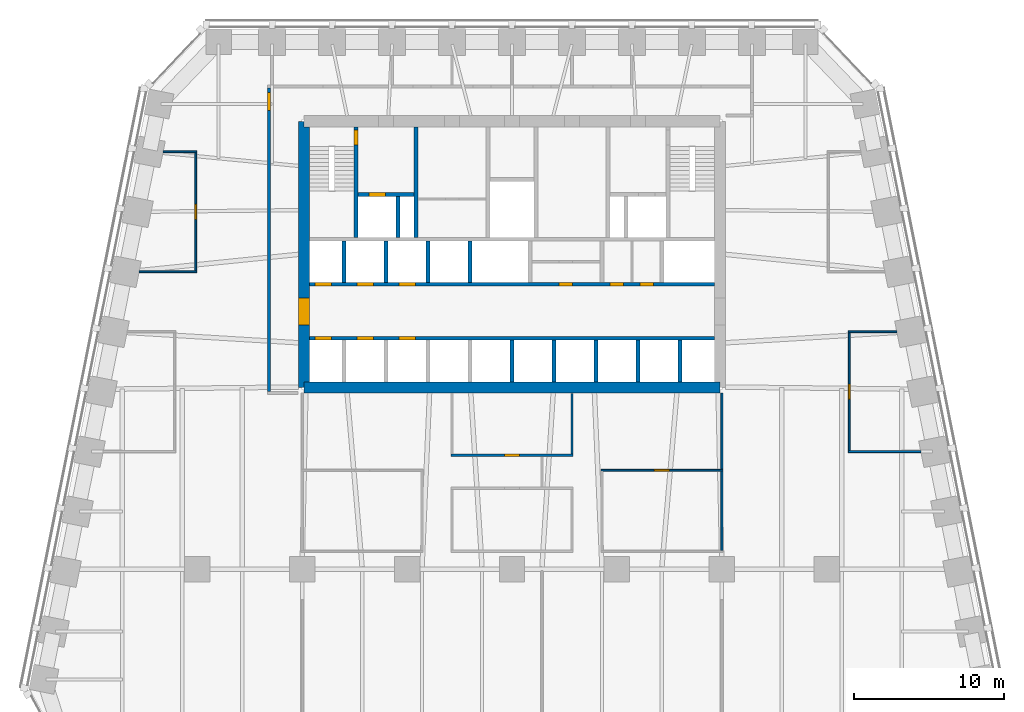
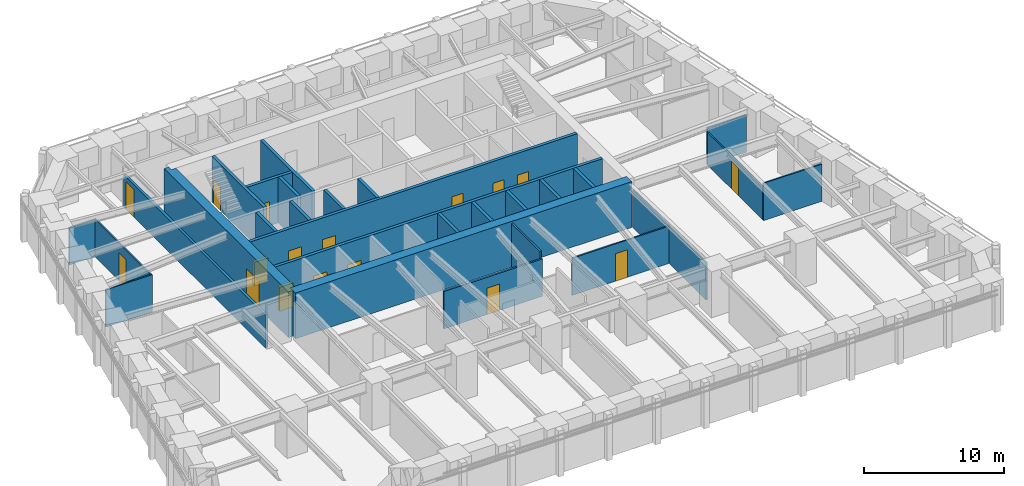
# One storey, part 6 of 10: 29 walls, 17 doors, 17 openings.
"""IFC4 building model written with IfcOpenShell, lengths in metres."""

from ifc_helpers import new_model, si_unit, direction, frame, frame_2d, origin, place, context, subcontext, project, spatial, polyline, rectangle, outline, extrude, material, layer, layer_set, type_object, element, fill, save


model = new_model("IFC4")

# Units and contexts
model_context = context("Model", 3, precision=1e-05, world=origin(), true_north=direction((0.0, 1.0)))
body_context = subcontext(model_context, "Body", "Model", "MODEL_VIEW")
ifc_project = project(units=[si_unit("LENGTHUNIT", "METRE"), si_unit("AREAUNIT", "SQUARE_METRE"), si_unit("VOLUMEUNIT", "CUBIC_METRE"), si_unit("PLANEANGLEUNIT", "RADIAN"), si_unit("MASSUNIT", "GRAM", prefix="KILO")], contexts=[model_context])

# Site, building, storey
site_placement = place(None, origin())
site = spatial("IfcSite", under=ifc_project, at=site_placement, CompositionType="ELEMENT")
building_placement = place(site_placement, origin())
building = spatial("IfcBuilding", under=site, at=building_placement, Name="Isbrekke Arena Tower", CompositionType="ELEMENT")
storey_placement = place(building_placement, frame((0.0, 0.0, 139.0)))
storey = spatial("IfcBuildingStorey", under=building, at=storey_placement, Name="L31", CompositionType="ELEMENT", Elevation=139.0)

# Wall
ifc_material_1 = material(Name="Concrete B55 (C55/67)", Category="concrete")
ifc_layer_1 = layer(ifc_material_1, 0.75)
ifc_layer_set_1 = layer_set([ifc_layer_1], Name="CW3 CORE WALL 750")
wall_type_1 = type_object("IfcWallType", Name="CW3 CORE WALL 750", PredefinedType="SHEAR", material=ifc_layer_set_1)
wall_1_placement = place(storey_placement, frame((-13.875, 6.125, 0.0), z_axis=(0.0, 0.0, 1.0), x_axis=(1.0, 0.0, 0.0)))
element("IfcWall", 1, at=wall_1_placement, inside=storey, type_object=wall_type_1, Name="Core wall S L31", PredefinedType="SHEAR", context=body_context, shape_type="SweptSolid", body=[
    extrude(rectangle(XDim=27.75, YDim=0.75, at=frame_2d((13.875, 0.0))), origin(), (0.0, 0.0, 1.0), 4.0),
])

# Wall, opening, door
wall_2_placement = place(storey_placement, frame((-13.875, 23.875, 0.0), z_axis=(0.0, 0.0, 1.0), x_axis=(0.0, -1.0, 0.0)))
wall_2 = element("IfcWall", 2, at=wall_2_placement, inside=storey, type_object=wall_type_1, Name="Core wall W L31", PredefinedType="SHEAR", context=body_context, shape_type="SweptSolid", body=[
    extrude(outline(polyline([(0.0, -0.375), (17.75, -0.375), (17.75, 0.0), (17.375, 0.0), (17.375, 0.375), (0.375, 0.375), (0.375, 0.0), (0.0, 0.0), (0.0, -0.375)])), origin(), (0.0, 0.0, 1.0), 4.0),
])
opening_1_placement = place(wall_2_placement, frame((11.77490234375, 0.0, 0.0)))
opening_1 = element("IfcOpeningElement", 3, at=opening_1_placement, cuts=wall_2, Name="Opening D1", PredefinedType="OPENING", context=body_context, shape_type="SweptSolid", body=[
    extrude(rectangle(XDim=1.800048828125, YDim=2.39990234375, at=frame_2d((0.89990234375, 1.199951171875))), frame((0.0, 0.389892578125, 0.0), z_axis=(0.0, -1.0, 0.0), x_axis=(1.0, 0.0, 0.0)), (0.0, 0.0, 1.0), 0.77978515625),
])
ifc_material_2 = material(Name="Steel-framed glazed fire door", Category="steel")
door_type_1 = type_object("IfcDoorType", Name="D1 CORE LOBBY DOOR 1800 x 2400", OperationType="DOUBLE_DOOR_SINGLE_SWING", PredefinedType="DOOR", material=ifc_material_2)
door_1_placement = place(opening_1_placement, origin())
door_1 = element("IfcDoor", 4, at=door_1_placement, inside=storey, type_object=door_type_1, Name="D1 lift lobby door west L31", OperationType="DOUBLE_DOOR_SINGLE_SWING", OverallHeight=2.39990234375, OverallWidth=1.800048828125, PredefinedType="DOOR", context=body_context, shape_type="SweptSolid", body=[
    extrude(rectangle(XDim=1.800048828125, YDim=2.39990234375, at=frame_2d((0.89990234375, 1.199951171875))), frame((0.0, 0.374755859375, 0.0), z_axis=(0.0, -1.0, 0.0), x_axis=(1.0, 0.0, 0.0)), (0.0, 0.0, 1.0), 0.74951171875),
])
fill(opening_1, door_1)

# Wall, openings, doors
ifc_material_3 = material(Name="Concrete B45 (C45/55)", Category="concrete")
ifc_layer_2 = layer(ifc_material_3, 0.25)
ifc_layer_set_2 = layer_set([ifc_layer_2], Name="CW6 SHAFT WALL 250")
wall_type_2 = type_object("IfcWallType", Name="CW6 SHAFT WALL 250", PredefinedType="SHEAR", material=ifc_layer_set_2)
wall_3_placement = place(storey_placement, frame((-13.5, 9.39990234375, 0.0), z_axis=(0.0, 0.0, 1.0), x_axis=(1.0, 0.0, 0.0)))
wall_3 = element("IfcWall", 5, at=wall_3_placement, inside=storey, type_object=wall_type_2, Name="Core wall LS L31", PredefinedType="SHEAR", context=body_context, shape_type="SweptSolid", body=[
    extrude(rectangle(XDim=27.0, YDim=0.25, at=frame_2d((13.5, 0.0))), origin(), (0.0, 0.0, 1.0), 4.0),
])
opening_2_placement = place(wall_3_placement, frame((0.35009765625, 0.0, 0.0)))
opening_2 = element("IfcOpeningElement", 6, at=opening_2_placement, cuts=wall_3, Name="Opening LD1", PredefinedType="OPENING", context=body_context, shape_type="SweptSolid", body=[
    extrude(rectangle(XDim=1.10009765625, YDim=2.10009765625, at=frame_2d((0.550048828125, 1.050048828125))), frame((0.0, 0.139892578125, 0.0), z_axis=(0.0, -1.0, 0.0), x_axis=(1.0, 0.0, 0.0)), (0.0, 0.0, 1.0), 0.27978515625),
])
opening_3_placement = place(wall_3_placement, frame((3.14990234375, 0.0, 0.0)))
opening_3 = element("IfcOpeningElement", 7, at=opening_3_placement, cuts=wall_3, Name="Opening LD1", PredefinedType="OPENING", context=body_context, shape_type="SweptSolid", body=[
    extrude(rectangle(XDim=1.10009765625, YDim=2.10009765625, at=frame_2d((0.550048828125, 1.050048828125))), frame((0.0, 0.139892578125, 0.0), z_axis=(0.0, -1.0, 0.0), x_axis=(1.0, 0.0, 0.0)), (0.0, 0.0, 1.0), 0.27978515625),
])
opening_4_placement = place(wall_3_placement, frame((5.949951171875, 0.0, 0.0)))
opening_4 = element("IfcOpeningElement", 8, at=opening_4_placement, cuts=wall_3, Name="Opening LD1", PredefinedType="OPENING", context=body_context, shape_type="SweptSolid", body=[
    extrude(rectangle(XDim=1.10009765625, YDim=2.10009765625, at=frame_2d((0.550048828125, 1.050048828125))), frame((0.0, 0.139892578125, 0.0), z_axis=(0.0, -1.0, 0.0), x_axis=(1.0, 0.0, 0.0)), (0.0, 0.0, 1.0), 0.27978515625),
])
ifc_material_4 = material(Name="Stainless steel lift landing door", Category="steel")
door_type_2 = type_object("IfcDoorType", Name="LD1 LIFT LANDING DOOR 1100 x 2100", OperationType="SLIDING_TO_LEFT", PredefinedType="DOOR", material=ifc_material_4)
door_2_placement = place(opening_2_placement, origin())
door_2 = element("IfcDoor", 9, at=door_2_placement, inside=storey, type_object=door_type_2, Name="LD1 lift landing door LB L31", OperationType="SLIDING_TO_LEFT", OverallHeight=2.10009765625, OverallWidth=1.10009765625, PredefinedType="DOOR", context=body_context, shape_type="SweptSolid", body=[
    extrude(rectangle(XDim=1.10009765625, YDim=2.10009765625, at=frame_2d((0.550048828125, 1.050048828125))), frame((0.0, 0.124755859375, 0.0), z_axis=(0.0, -1.0, 0.0), x_axis=(1.0, 0.0, 0.0)), (0.0, 0.0, 1.0), 0.24951171875),
])
fill(opening_2, door_2)
door_3_placement = place(opening_3_placement, origin())
door_3 = element("IfcDoor", 10, at=door_3_placement, inside=storey, type_object=door_type_2, Name="LD1 lift landing door LB L31", OperationType="SLIDING_TO_LEFT", OverallHeight=2.10009765625, OverallWidth=1.10009765625, PredefinedType="DOOR", context=body_context, shape_type="SweptSolid", body=[
    extrude(rectangle(XDim=1.10009765625, YDim=2.10009765625, at=frame_2d((0.550048828125, 1.050048828125))), frame((0.0, 0.124755859375, 0.0), z_axis=(0.0, -1.0, 0.0), x_axis=(1.0, 0.0, 0.0)), (0.0, 0.0, 1.0), 0.24951171875),
])
fill(opening_3, door_3)
door_4_placement = place(opening_4_placement, origin())
door_4 = element("IfcDoor", 11, at=door_4_placement, inside=storey, type_object=door_type_2, Name="LD1 lift landing door LB L31", OperationType="SLIDING_TO_LEFT", OverallHeight=2.10009765625, OverallWidth=1.10009765625, PredefinedType="DOOR", context=body_context, shape_type="SweptSolid", body=[
    extrude(rectangle(XDim=1.10009765625, YDim=2.10009765625, at=frame_2d((0.550048828125, 1.050048828125))), frame((0.0, 0.124755859375, 0.0), z_axis=(0.0, -1.0, 0.0), x_axis=(1.0, 0.0, 0.0)), (0.0, 0.0, 1.0), 0.24951171875),
])
fill(opening_4, door_4)

wall_4_placement = place(storey_placement, frame((-13.5, 13.0, 0.0), z_axis=(0.0, 0.0, 1.0), x_axis=(1.0, 0.0, 0.0)))
wall_4 = element("IfcWall", 12, at=wall_4_placement, inside=storey, type_object=wall_type_2, Name="Core wall LN L31", PredefinedType="SHEAR", context=body_context, shape_type="SweptSolid", body=[
    extrude(rectangle(XDim=27.0, YDim=0.25, at=frame_2d((13.5, 0.0))), origin(), (0.0, 0.0, 1.0), 4.0),
])
opening_5_placement = place(wall_4_placement, frame((0.35009765625, 0.0, 0.0)))
opening_5 = element("IfcOpeningElement", 13, at=opening_5_placement, cuts=wall_4, Name="Opening LD1", PredefinedType="OPENING", context=body_context, shape_type="SweptSolid", body=[
    extrude(rectangle(XDim=1.10009765625, YDim=2.10009765625, at=frame_2d((0.550048828125, 1.050048828125))), frame((0.0, 0.139892578125, 0.0), z_axis=(0.0, -1.0, 0.0), x_axis=(1.0, 0.0, 0.0)), (0.0, 0.0, 1.0), 0.27978515625),
])
opening_6_placement = place(wall_4_placement, frame((3.14990234375, 0.0, 0.0)))
opening_6 = element("IfcOpeningElement", 14, at=opening_6_placement, cuts=wall_4, Name="Opening LD1", PredefinedType="OPENING", context=body_context, shape_type="SweptSolid", body=[
    extrude(rectangle(XDim=1.10009765625, YDim=2.10009765625, at=frame_2d((0.550048828125, 1.050048828125))), frame((0.0, 0.139892578125, 0.0), z_axis=(0.0, -1.0, 0.0), x_axis=(1.0, 0.0, 0.0)), (0.0, 0.0, 1.0), 0.27978515625),
])
opening_7_placement = place(wall_4_placement, frame((5.949951171875, 0.0, 0.0)))
opening_7 = element("IfcOpeningElement", 15, at=opening_7_placement, cuts=wall_4, Name="Opening LD1", PredefinedType="OPENING", context=body_context, shape_type="SweptSolid", body=[
    extrude(rectangle(XDim=1.10009765625, YDim=2.10009765625, at=frame_2d((0.550048828125, 1.050048828125))), frame((0.0, 0.139892578125, 0.0), z_axis=(0.0, -1.0, 0.0), x_axis=(1.0, 0.0, 0.0)), (0.0, 0.0, 1.0), 0.27978515625),
])
opening_8_placement = place(wall_4_placement, frame((16.64990234375, 0.0, 0.0)))
opening_8 = element("IfcOpeningElement", 16, at=opening_8_placement, cuts=wall_4, Name="Opening D5", PredefinedType="OPENING", context=body_context, shape_type="SweptSolid", body=[
    extrude(rectangle(XDim=0.89990234375, YDim=2.10009765625, at=frame_2d((0.449951171875, 1.050048828125))), frame((0.0, 0.139892578125, 0.0), z_axis=(0.0, -1.0, 0.0), x_axis=(1.0, 0.0, 0.0)), (0.0, 0.0, 1.0), 0.27978515625),
])
opening_9_placement = place(wall_4_placement, frame((20.050048828125, 0.0, 0.0)))
opening_9 = element("IfcOpeningElement", 17, at=opening_9_placement, cuts=wall_4, Name="Opening D5", PredefinedType="OPENING", context=body_context, shape_type="SweptSolid", body=[
    extrude(rectangle(XDim=0.89990234375, YDim=2.10009765625, at=frame_2d((0.449951171875, 1.050048828125))), frame((0.0, 0.139892578125, 0.0), z_axis=(0.0, -1.0, 0.0), x_axis=(1.0, 0.0, 0.0)), (0.0, 0.0, 1.0), 0.27978515625),
])
opening_10_placement = place(wall_4_placement, frame((22.050048828125, 0.0, 0.0)))
opening_10 = element("IfcOpeningElement", 18, at=opening_10_placement, cuts=wall_4, Name="Opening D5", PredefinedType="OPENING", context=body_context, shape_type="SweptSolid", body=[
    extrude(rectangle(XDim=0.89990234375, YDim=2.10009765625, at=frame_2d((0.449951171875, 1.050048828125))), frame((0.0, 0.139892578125, 0.0), z_axis=(0.0, -1.0, 0.0), x_axis=(1.0, 0.0, 0.0)), (0.0, 0.0, 1.0), 0.27978515625),
])
ifc_material_5 = material(Name="Steel fire door", Category="steel")
door_type_3 = type_object("IfcDoorType", Name="D5 SERVICE DOOR 900 x 2100", OperationType="SINGLE_SWING_LEFT", PredefinedType="DOOR", material=ifc_material_5)
door_5_placement = place(opening_8_placement, origin())
door_5 = element("IfcDoor", 19, at=door_5_placement, inside=storey, type_object=door_type_3, Name="D5 first-aid room door L31", OperationType="SINGLE_SWING_LEFT", OverallHeight=2.10009765625, OverallWidth=0.89990234375, PredefinedType="DOOR", context=body_context, shape_type="SweptSolid", body=[
    extrude(rectangle(XDim=0.89990234375, YDim=2.10009765625, at=frame_2d((0.449951171875, 1.050048828125))), frame((0.0, 0.124755859375, 0.0), z_axis=(0.0, -1.0, 0.0), x_axis=(1.0, 0.0, 0.0)), (0.0, 0.0, 1.0), 0.24951171875),
])
fill(opening_8, door_5)
door_6_placement = place(opening_9_placement, origin())
door_6 = element("IfcDoor", 20, at=door_6_placement, inside=storey, type_object=door_type_3, Name="D5 cleaner's store door L31", OperationType="SINGLE_SWING_LEFT", OverallHeight=2.10009765625, OverallWidth=0.89990234375, PredefinedType="DOOR", context=body_context, shape_type="SweptSolid", body=[
    extrude(rectangle(XDim=0.89990234375, YDim=2.10009765625, at=frame_2d((0.449951171875, 1.050048828125))), frame((0.0, 0.124755859375, 0.0), z_axis=(0.0, -1.0, 0.0), x_axis=(1.0, 0.0, 0.0)), (0.0, 0.0, 1.0), 0.24951171875),
])
fill(opening_9, door_6)
door_7_placement = place(opening_10_placement, origin())
door_7 = element("IfcDoor", 21, at=door_7_placement, inside=storey, type_object=door_type_3, Name="D5 communications room door L31", OperationType="SINGLE_SWING_LEFT", OverallHeight=2.10009765625, OverallWidth=0.89990234375, PredefinedType="DOOR", context=body_context, shape_type="SweptSolid", body=[
    extrude(rectangle(XDim=0.89990234375, YDim=2.10009765625, at=frame_2d((0.449951171875, 1.050048828125))), frame((0.0, 0.124755859375, 0.0), z_axis=(0.0, -1.0, 0.0), x_axis=(1.0, 0.0, 0.0)), (0.0, 0.0, 1.0), 0.24951171875),
])
fill(opening_10, door_7)
door_8_placement = place(opening_5_placement, origin())
door_8 = element("IfcDoor", 22, at=door_8_placement, inside=storey, type_object=door_type_2, Name="LD1 lift landing door LB L31", OperationType="SLIDING_TO_LEFT", OverallHeight=2.10009765625, OverallWidth=1.10009765625, PredefinedType="DOOR", context=body_context, shape_type="SweptSolid", body=[
    extrude(rectangle(XDim=1.10009765625, YDim=2.10009765625, at=frame_2d((0.550048828125, 1.050048828125))), frame((0.0, 0.124755859375, 0.0), z_axis=(0.0, -1.0, 0.0), x_axis=(1.0, 0.0, 0.0)), (0.0, 0.0, 1.0), 0.24951171875),
])
fill(opening_5, door_8)
door_9_placement = place(opening_6_placement, origin())
door_9 = element("IfcDoor", 23, at=door_9_placement, inside=storey, type_object=door_type_2, Name="LD1 lift landing door LB L31", OperationType="SLIDING_TO_LEFT", OverallHeight=2.10009765625, OverallWidth=1.10009765625, PredefinedType="DOOR", context=body_context, shape_type="SweptSolid", body=[
    extrude(rectangle(XDim=1.10009765625, YDim=2.10009765625, at=frame_2d((0.550048828125, 1.050048828125))), frame((0.0, 0.124755859375, 0.0), z_axis=(0.0, -1.0, 0.0), x_axis=(1.0, 0.0, 0.0)), (0.0, 0.0, 1.0), 0.24951171875),
])
fill(opening_6, door_9)
door_10_placement = place(opening_7_placement, origin())
door_10 = element("IfcDoor", 24, at=door_10_placement, inside=storey, type_object=door_type_2, Name="LD1 lift landing door LB L31", OperationType="SLIDING_TO_LEFT", OverallHeight=2.10009765625, OverallWidth=1.10009765625, PredefinedType="DOOR", context=body_context, shape_type="SweptSolid", body=[
    extrude(rectangle(XDim=1.10009765625, YDim=2.10009765625, at=frame_2d((0.550048828125, 1.050048828125))), frame((0.0, 0.124755859375, 0.0), z_axis=(0.0, -1.0, 0.0), x_axis=(1.0, 0.0, 0.0)), (0.0, 0.0, 1.0), 0.24951171875),
])
fill(opening_7, door_10)

# Walls
for number, where, z_axis, x_axis, name in (
    (25, (0.0, 6.5, 0.0), (0.0, 0.0, 1.0), (0.0, 1.0, 0.0), "Core wall SS05 L31"),
    (26, (2.800048828125, 6.5, 0.0), (0.0, 0.0, 1.0), (0.0, 1.0, 0.0), "Core wall SS06 L31"),
    (27, (5.60009765625, 6.5, 0.0), (0.0, 0.0, 1.0), (0.0, 1.0, 0.0), "Core wall SS07 L31"),
    (28, (8.39990234375, 6.5, 0.0), (0.0, 0.0, 1.0), (0.0, 1.0, 0.0), "Core wall SS08 L31"),
    (29, (11.199951171875, 6.5, 0.0), (0.0, 0.0, 1.0), (0.0, 1.0, 0.0), "Core wall SS09 L31"),
):
    element("IfcWall", number, at=place(storey_placement, frame(where, z_axis=z_axis, x_axis=x_axis)), inside=storey, type_object=wall_type_2, Name=name, PredefinedType="SHEAR", context=body_context, shape_type="SweptSolid", body=[
        extrude(rectangle(XDim=2.77490234375, YDim=0.25, at=frame_2d((1.387451171875, 0.0))), origin(), (0.0, 0.0, 1.0), 4.0),
    ])
for number, where, z_axis, x_axis, name in (
    (30, (-11.199951171875, 13.125, 0.0), (0.0, 0.0, 1.0), (0.0, 1.0, 0.0), "Core wall SN01 L31"),
    (31, (-8.39990234375, 13.125, 0.0), (0.0, 0.0, 1.0), (0.0, 1.0, 0.0), "Core wall SN02 L31"),
    (32, (-5.60009765625, 13.125, 0.0), (0.0, 0.0, 1.0), (0.0, 1.0, 0.0), "Core wall SN03 L31"),
    (33, (-2.800048828125, 13.125, 0.0), (0.0, 0.0, 1.0), (0.0, 1.0, 0.0), "Core wall SN04 L31"),
):
    element("IfcWall", number, at=place(storey_placement, frame(where, z_axis=z_axis, x_axis=x_axis)), inside=storey, type_object=wall_type_2, Name=name, PredefinedType="SHEAR", context=body_context, shape_type="SweptSolid", body=[
        extrude(rectangle(XDim=2.75, YDim=0.25, at=frame_2d((1.375, 0.0))), origin(), (0.0, 0.0, 1.0), 4.0),
    ])

# Wall, opening, door
wall_5_placement = place(storey_placement, frame((-10.39990234375, 16.125, 0.0), z_axis=(0.0, 0.0, 1.0), x_axis=(0.0, 1.0, 0.0)))
wall_5 = element("IfcWall", 34, at=wall_5_placement, inside=storey, type_object=wall_type_2, Name="Core wall NV01 L31", PredefinedType="SHEAR", context=body_context, shape_type="SweptSolid", body=[
    extrude(rectangle(XDim=7.375, YDim=0.25, at=frame_2d((3.6875, 0.0))), origin(), (0.0, 0.0, 1.0), 4.0),
])
opening_11_placement = place(wall_5_placement, frame((6.175048828125, 0.0, 0.0)))
opening_11 = element("IfcOpeningElement", 35, at=opening_11_placement, cuts=wall_5, Name="Opening D2", PredefinedType="OPENING", context=body_context, shape_type="SweptSolid", body=[
    extrude(rectangle(XDim=1.0, YDim=2.10009765625, at=frame_2d((0.5, 1.050048828125))), frame((0.0, 0.139892578125, 0.0), z_axis=(0.0, -1.0, 0.0), x_axis=(1.0, 0.0, 0.0)), (0.0, 0.0, 1.0), 0.27978515625),
])
ifc_material_6 = material(Name="Steel fire door", Category="steel")
door_type_4 = type_object("IfcDoorType", Name="D2 STAIR DOOR 1000 x 2100", OperationType="SINGLE_SWING_LEFT", PredefinedType="DOOR", material=ifc_material_6)
door_11_placement = place(opening_11_placement, origin())
door_11 = element("IfcDoor", 36, at=door_11_placement, inside=storey, type_object=door_type_4, Name="D2 stair door ST1 L31", OperationType="SINGLE_SWING_LEFT", OverallHeight=2.10009765625, OverallWidth=1.0, PredefinedType="DOOR", context=body_context, shape_type="SweptSolid", body=[
    extrude(rectangle(XDim=1.0, YDim=2.10009765625, at=frame_2d((0.5, 1.050048828125))), frame((0.0, 0.124755859375, 0.0), z_axis=(0.0, -1.0, 0.0), x_axis=(1.0, 0.0, 0.0)), (0.0, 0.0, 1.0), 0.24951171875),
])
fill(opening_11, door_11)

# Wall
wall_6_placement = place(storey_placement, frame((-6.39990234375, 16.125, 0.0), z_axis=(0.0, 0.0, 1.0), x_axis=(0.0, 1.0, 0.0)))
element("IfcWall", 37, at=wall_6_placement, inside=storey, type_object=wall_type_2, Name="Core wall NV02 L31", PredefinedType="SHEAR", context=body_context, shape_type="SweptSolid", body=[
    extrude(rectangle(XDim=7.375, YDim=0.25, at=frame_2d((3.6875, 0.0))), origin(), (0.0, 0.0, 1.0), 4.0),
])

# Wall, opening, door
wall_7_placement = place(storey_placement, frame((-10.27490234375, 19.0, 0.0), z_axis=(0.0, 0.0, 1.0), x_axis=(1.0, 0.0, 0.0)))
wall_7 = element("IfcWall", 38, at=wall_7_placement, inside=storey, type_object=wall_type_2, Name="Core wall NFW L31", PredefinedType="SHEAR", context=body_context, shape_type="SweptSolid", body=[
    extrude(rectangle(XDim=3.75, YDim=0.25, at=frame_2d((1.875, 0.0))), origin(), (0.0, 0.0, 1.0), 4.0),
])
opening_12_placement = place(wall_7_placement, frame((0.72509765625, 0.0, 0.0)))
opening_12 = element("IfcOpeningElement", 39, at=opening_12_placement, cuts=wall_7, Name="Opening LD2", PredefinedType="OPENING", context=body_context, shape_type="SweptSolid", body=[
    extrude(rectangle(XDim=1.10009765625, YDim=2.10009765625, at=frame_2d((0.550048828125, 1.050048828125))), frame((0.0, 0.139892578125, 0.0), z_axis=(0.0, -1.0, 0.0), x_axis=(1.0, 0.0, 0.0)), (0.0, 0.0, 1.0), 0.27978515625),
])
ifc_material_7 = material(Name="Stainless steel lift landing door", Category="steel")
door_type_5 = type_object("IfcDoorType", Name="LD2 FIRE-FIGHTING LIFT LANDING DOOR 1100 x 2100", OperationType="SLIDING_TO_RIGHT", PredefinedType="DOOR", material=ifc_material_7)
door_12_placement = place(opening_12_placement, origin())
door_12 = element("IfcDoor", 40, at=door_12_placement, inside=storey, type_object=door_type_5, Name="LD2 lift landing door LF L31", OperationType="SLIDING_TO_RIGHT", OverallHeight=2.10009765625, OverallWidth=1.10009765625, PredefinedType="DOOR", context=body_context, shape_type="SweptSolid", body=[
    extrude(rectangle(XDim=1.10009765625, YDim=2.10009765625, at=frame_2d((0.550048828125, 1.050048828125))), frame((0.0, 0.124755859375, 0.0), z_axis=(0.0, -1.0, 0.0), x_axis=(1.0, 0.0, 0.0)), (0.0, 0.0, 1.0), 0.24951171875),
])
fill(opening_12, door_12)

# Wall
wall_8_placement = place(storey_placement, frame((-7.60009765625, 16.125, 0.0), z_axis=(0.0, 0.0, 1.0), x_axis=(0.0, 1.0, 0.0)))
element("IfcWall", 41, at=wall_8_placement, inside=storey, type_object=wall_type_2, Name="Core wall NFS1 L31", PredefinedType="SHEAR", context=body_context, shape_type="SweptSolid", body=[
    extrude(rectangle(XDim=2.75, YDim=0.25, at=frame_2d((1.375, 0.0))), origin(), (0.0, 0.0, 1.0), 4.0),
])

# Wall, opening, door
ifc_material_8 = material(Name="Gypsum board partition on steel studs", Category="steel")
ifc_layer_3 = layer(ifc_material_8, 0.14990234375)
ifc_layer_set_3 = layer_set([ifc_layer_3], Name="IW1 PARTITION 150")
wall_type_3 = type_object("IfcWallType", Name="IW1 PARTITION 150", PredefinedType="PARTITIONING", material=ifc_layer_set_3)
wall_9_placement = place(storey_placement, frame((-4.074951171875, 1.60009765625, 0.0), z_axis=(0.0, 0.0, 1.0), x_axis=(1.0, 0.0, 0.0)))
wall_9 = element("IfcWall", 42, at=wall_9_placement, inside=storey, type_object=wall_type_3, Name="IW1 partition 150 L31", PredefinedType="PARTITIONING", context=body_context, shape_type="SweptSolid", body=[
    extrude(rectangle(XDim=8.14990234375, YDim=0.14990234375, at=frame_2d((4.074951171875, 0.0))), origin(), (0.0, 0.0, 1.0), 3.25),
])
opening_13_placement = place(wall_9_placement, frame((3.574951171875, 0.0, 0.0)))
opening_13 = element("IfcOpeningElement", 43, at=opening_13_placement, cuts=wall_9, Name="Opening D10", PredefinedType="OPENING", context=body_context, shape_type="SweptSolid", body=[
    extrude(rectangle(XDim=1.0, YDim=2.300048828125, at=frame_2d((0.5, 1.14990234375))), frame((0.0, 0.08984375, 0.0), z_axis=(0.0, -1.0, 0.0), x_axis=(1.0, 0.0, 0.0)), (0.0, 0.0, 1.0), 0.1796875),
])
ifc_material_9 = material(Name="Timber door", Category="wood")
door_type_6 = type_object("IfcDoorType", Name="D10 OFFICE DOOR 1000 x 2300", OperationType="SINGLE_SWING_LEFT", PredefinedType="DOOR", material=ifc_material_9)
door_13_placement = place(opening_13_placement, origin())
door_13 = element("IfcDoor", 44, at=door_13_placement, inside=storey, type_object=door_type_6, Name="D10 print room door L31", OperationType="SINGLE_SWING_LEFT", OverallHeight=2.300048828125, OverallWidth=1.0, PredefinedType="DOOR", context=body_context, shape_type="SweptSolid", body=[
    extrude(rectangle(XDim=1.0, YDim=2.300048828125, at=frame_2d((0.5, 1.14990234375))), frame((0.0, 0.07470703125, 0.0), z_axis=(0.0, -1.0, 0.0), x_axis=(1.0, 0.0, 0.0)), (0.0, 0.0, 1.0), 0.1494140625),
])
fill(opening_13, door_13)

# Wall
wall_10_placement = place(storey_placement, frame((4.0, 1.675048828125, 0.0), z_axis=(0.0, 0.0, 1.0), x_axis=(0.0, 1.0, 0.0)))
element("IfcWall", 45, at=wall_10_placement, inside=storey, type_object=wall_type_3, Name="IW1 partition 150 L31", PredefinedType="PARTITIONING", context=body_context, shape_type="SweptSolid", body=[
    extrude(rectangle(XDim=4.044921875, YDim=0.14990234375, at=frame_2d((2.0224609375, 0.0))), origin(), (0.0, 0.0, 1.0), 3.85009765625),
])

# Wall, opening, door
ifc_material_10 = material(Name="Frameless glazed partition, laminated acoustic glass", Category="glass")
ifc_layer_4 = layer(ifc_material_10, 0.1201171875)
ifc_layer_set_4 = layer_set([ifc_layer_4], Name="IW2 GLAZED PARTITION 120")
wall_type_4 = type_object("IfcWallType", Name="IW2 GLAZED PARTITION 120", PredefinedType="PARTITIONING", material=ifc_layer_set_4)
wall_11_placement = place(storey_placement, frame((5.93994140625, 0.60009765625, 0.0), z_axis=(0.0, 0.0, 1.0), x_axis=(1.0, 0.0, 0.0)))
wall_11 = element("IfcWall", 46, at=wall_11_placement, inside=storey, type_object=wall_type_4, Name="IW2 glazed partition 120 L31", PredefinedType="PARTITIONING", context=body_context, shape_type="SweptSolid", body=[
    extrude(rectangle(XDim=8.1201171875, YDim=0.1201171875, at=frame_2d((4.06005859375, 0.0))), origin(), (0.0, 0.0, 1.0), 3.25),
])
opening_14_placement = place(wall_11_placement, frame((3.56005859375, 0.0, 0.0)))
opening_14 = element("IfcOpeningElement", 47, at=opening_14_placement, cuts=wall_11, Name="Opening D11", PredefinedType="OPENING", context=body_context, shape_type="SweptSolid", body=[
    extrude(rectangle(XDim=1.0, YDim=2.39990234375, at=frame_2d((0.5, 1.199951171875))), frame((0.0, 0.074951171875, 0.0), z_axis=(0.0, -1.0, 0.0), x_axis=(1.0, 0.0, 0.0)), (0.0, 0.0, 1.0), 0.14990234375),
])
ifc_material_11 = material(Name="Frameless glazed door", Category="glass")
door_type_7 = type_object("IfcDoorType", Name="D11 GLAZED MEETING ROOM DOOR 1000 x 2400", OperationType="SINGLE_SWING_RIGHT", PredefinedType="DOOR", material=ifc_material_11)
door_14_placement = place(opening_14_placement, origin())
door_14 = element("IfcDoor", 48, at=door_14_placement, inside=storey, type_object=door_type_7, Name="D11 meeting room door L31", OperationType="SINGLE_SWING_RIGHT", OverallHeight=2.39990234375, OverallWidth=1.0, PredefinedType="DOOR", context=body_context, shape_type="SweptSolid", body=[
    extrude(rectangle(XDim=1.0, YDim=2.39990234375, at=frame_2d((0.5, 1.199951171875))), frame((0.0, 0.059814453125, 0.0), z_axis=(0.0, -1.0, 0.0), x_axis=(1.0, 0.0, 0.0)), (0.0, 0.0, 1.0), 0.11962890625),
])
fill(opening_14, door_14)

# Walls
wall_12_placement = place(storey_placement, frame((22.43994140625, 1.840087890625, 0.0), z_axis=(0.0, 0.0, 1.0), x_axis=(1.0, 0.0, 0.0)))
element("IfcWall", 49, at=wall_12_placement, inside=storey, type_object=wall_type_4, Name="IW2 glazed partition 120 L31", PredefinedType="PARTITIONING", context=body_context, shape_type="SweptSolid", body=[
    extrude(rectangle(XDim=4.832763671875, YDim=0.1201171875, at=frame_2d((2.41650390625, 0.0))), origin(), (0.0, 0.0, 1.0), 3.25),
])
wall_13_placement = place(storey_placement, frame((22.43994140625, 9.840087890625, 0.0), z_axis=(0.0, 0.0, 1.0), x_axis=(1.0, 0.0, 0.0)))
element("IfcWall", 50, at=wall_13_placement, inside=storey, type_object=wall_type_4, Name="IW2 glazed partition 120 L31", PredefinedType="PARTITIONING", context=body_context, shape_type="SweptSolid", body=[
    extrude(rectangle(XDim=3.23291015625, YDim=0.1201171875, at=frame_2d((1.616455078125, 0.0))), origin(), (0.0, 0.0, 1.0), 3.25),
])
wall_14_placement = place(storey_placement, frame((-24.872802734375, 13.840087890625, 0.0), z_axis=(0.0, 0.0, 1.0), x_axis=(1.0, 0.0, 0.0)))
element("IfcWall", 51, at=wall_14_placement, inside=storey, type_object=wall_type_4, Name="IW2 glazed partition 120 L31", PredefinedType="PARTITIONING", context=body_context, shape_type="SweptSolid", body=[
    extrude(rectangle(XDim=3.832763671875, YDim=0.1201171875, at=frame_2d((1.91650390625, 0.0))), origin(), (0.0, 0.0, 1.0), 3.25),
])
wall_15_placement = place(storey_placement, frame((-23.272705078125, 21.840087890625, 0.0), z_axis=(0.0, 0.0, 1.0), x_axis=(1.0, 0.0, 0.0)))
element("IfcWall", 52, at=wall_15_placement, inside=storey, type_object=wall_type_4, Name="IW2 glazed partition 120 L31", PredefinedType="PARTITIONING", context=body_context, shape_type="SweptSolid", body=[
    extrude(rectangle(XDim=2.232666015625, YDim=0.1201171875, at=frame_2d((1.1162109375, 0.0))), origin(), (0.0, 0.0, 1.0), 3.25),
])

# Wall, opening, door
wall_16_placement = place(storey_placement, frame((-21.10009765625, 13.89990234375, 0.0), z_axis=(0.0, 0.0, 1.0), x_axis=(0.0, 1.0, 0.0)))
wall_16 = element("IfcWall", 53, at=wall_16_placement, inside=storey, type_object=wall_type_4, Name="IW2 glazed partition 120 L31", PredefinedType="PARTITIONING", context=body_context, shape_type="SweptSolid", body=[
    extrude(rectangle(XDim=7.880126953125, YDim=0.1201171875, at=frame_2d((3.93994140625, 0.0))), origin(), (0.0, 0.0, 1.0), 3.25),
])
opening_15_placement = place(wall_16_placement, frame((3.43994140625, 0.0, 0.0)))
opening_15 = element("IfcOpeningElement", 54, at=opening_15_placement, cuts=wall_16, Name="Opening D11", PredefinedType="OPENING", context=body_context, shape_type="SweptSolid", body=[
    extrude(rectangle(XDim=1.0, YDim=2.39990234375, at=frame_2d((0.5, 1.199951171875))), frame((0.0, 0.074951171875, 0.0), z_axis=(0.0, -1.0, 0.0), x_axis=(1.0, 0.0, 0.0)), (0.0, 0.0, 1.0), 0.14990234375),
])
door_15_placement = place(opening_15_placement, origin())
door_15 = element("IfcDoor", 55, at=door_15_placement, inside=storey, type_object=door_type_7, Name="D11 project room door L31", OperationType="SINGLE_SWING_RIGHT", OverallHeight=2.39990234375, OverallWidth=1.0, PredefinedType="DOOR", context=body_context, shape_type="SweptSolid", body=[
    extrude(rectangle(XDim=1.0, YDim=2.39990234375, at=frame_2d((0.5, 1.199951171875))), frame((0.0, 0.059814453125, 0.0), z_axis=(0.0, -1.0, 0.0), x_axis=(1.0, 0.0, 0.0)), (0.0, 0.0, 1.0), 0.11962890625),
])
fill(opening_15, door_15)

# Wall
wall_17_placement = place(storey_placement, frame((14.0, -4.739990234375, 0.0), z_axis=(0.0, 0.0, 1.0), x_axis=(0.0, 1.0, 0.0)))
element("IfcWall", 56, at=wall_17_placement, inside=storey, type_object=wall_type_4, Name="IW2 glazed partition 120 L31", PredefinedType="PARTITIONING", context=body_context, shape_type="SweptSolid", body=[
    extrude(rectangle(XDim=5.280029296875, YDim=0.1201171875, at=frame_2d((2.64013671875, 0.0))), origin(), (0.0, 0.0, 1.0), 3.25),
])

# Wall, opening, door
wall_18_placement = place(storey_placement, frame((22.5, 1.89990234375, 0.0), z_axis=(0.0, 0.0, 1.0), x_axis=(0.0, 1.0, 0.0)))
wall_18 = element("IfcWall", 57, at=wall_18_placement, inside=storey, type_object=wall_type_4, Name="IW2 glazed partition 120 L31", PredefinedType="PARTITIONING", context=body_context, shape_type="SweptSolid", body=[
    extrude(rectangle(XDim=7.880126953125, YDim=0.1201171875, at=frame_2d((3.93994140625, 0.0))), origin(), (0.0, 0.0, 1.0), 2.842041015625),
])
opening_16_placement = place(wall_18_placement, frame((3.43994140625, 0.0, 0.0)))
opening_16 = element("IfcOpeningElement", 58, at=opening_16_placement, cuts=wall_18, Name="Opening D11", PredefinedType="OPENING", context=body_context, shape_type="SweptSolid", body=[
    extrude(rectangle(XDim=1.0, YDim=2.39990234375, at=frame_2d((0.5, 1.199951171875))), frame((0.0, 0.074951171875, 0.0), z_axis=(0.0, -1.0, 0.0), x_axis=(1.0, 0.0, 0.0)), (0.0, 0.0, 1.0), 0.14990234375),
])
door_16_placement = place(opening_16_placement, origin())
door_16 = element("IfcDoor", 59, at=door_16_placement, inside=storey, type_object=door_type_7, Name="D11 project room door L31", OperationType="SINGLE_SWING_RIGHT", OverallHeight=2.39990234375, OverallWidth=1.0, PredefinedType="DOOR", context=body_context, shape_type="SweptSolid", body=[
    extrude(rectangle(XDim=1.0, YDim=2.39990234375, at=frame_2d((0.5, 1.199951171875))), frame((0.0, 0.059814453125, 0.0), z_axis=(0.0, -1.0, 0.0), x_axis=(1.0, 0.0, 0.0)), (0.0, 0.0, 1.0), 0.11962890625),
])
fill(opening_16, door_16)

# Wall
wall_19_placement = place(storey_placement, frame((14.0, 0.679931640625, 0.0), z_axis=(0.0, 0.0, 1.0), x_axis=(0.0, 1.0, 0.0)))
element("IfcWall", 60, at=wall_19_placement, inside=storey, type_object=wall_type_4, Name="IW2 glazed partition 120 L31", PredefinedType="PARTITIONING", context=body_context, shape_type="SweptSolid", body=[
    extrude(rectangle(XDim=5.070068359375, YDim=0.1201171875, at=frame_2d((2.53515625, 0.0))), origin(), (0.0, 0.0, 1.0), 3.25),
])

# Wall, opening, door
ifc_material_12 = material(Name="Gypsum board fire-cell wall on steel studs, two layers each side", Category="steel")
ifc_layer_5 = layer(ifc_material_12, 0.199951171875)
ifc_layer_set_5 = layer_set([ifc_layer_5], Name="IW3 FIRE-CELL WALL 200")
wall_type_5 = type_object("IfcWallType", Name="IW3 FIRE-CELL WALL 200", PredefinedType="PARTITIONING", material=ifc_layer_set_5)
wall_20_placement = place(storey_placement, frame((-16.199951171875, 5.85009765625, 0.0), z_axis=(0.0, 0.0, 1.0), x_axis=(0.0, 1.0, 0.0)))
wall_20 = element("IfcWall", 61, at=wall_20_placement, inside=storey, type_object=wall_type_5, Name="IW3 fire-cell wall 200 L31", PredefinedType="PARTITIONING", context=body_context, shape_type="SweptSolid", body=[
    extrude(rectangle(XDim=20.25, YDim=0.199951171875, at=frame_2d((10.125, 0.0))), origin(), (0.0, 0.0, 1.0), 2.842041015625),
])
opening_17_placement = place(wall_20_placement, frame((18.75, 0.0, 0.0)))
opening_17 = element("IfcOpeningElement", 62, at=opening_17_placement, cuts=wall_20, Name="Opening D12", PredefinedType="OPENING", context=body_context, shape_type="SweptSolid", body=[
    extrude(rectangle(XDim=1.199951171875, YDim=2.39990234375, at=frame_2d((0.60009765625, 1.199951171875))), frame((0.0, 0.11474609375, 0.0), z_axis=(0.0, -1.0, 0.0), x_axis=(1.0, 0.0, 0.0)), (0.0, 0.0, 1.0), 0.229736328125),
])
ifc_material_13 = material(Name="Timber fire door with vision panel", Category="wood")
door_type_8 = type_object("IfcDoorType", Name="D12 SUITE ENTRANCE DOOR 1200 x 2400", OperationType="SINGLE_SWING_LEFT", PredefinedType="DOOR", material=ifc_material_13)
door_17_placement = place(opening_17_placement, origin())
door_17 = element("IfcDoor", 63, at=door_17_placement, inside=storey, type_object=door_type_8, Name="D12 suite entrance A door L31", OperationType="SINGLE_SWING_LEFT", OverallHeight=2.39990234375, OverallWidth=1.199951171875, PredefinedType="DOOR", context=body_context, shape_type="SweptSolid", body=[
    extrude(rectangle(XDim=1.199951171875, YDim=2.39990234375, at=frame_2d((0.60009765625, 1.199951171875))), frame((0.0, 0.099609375, 0.0), z_axis=(0.0, -1.0, 0.0), x_axis=(1.0, 0.0, 0.0)), (0.0, 0.0, 1.0), 0.199462890625),
])
fill(opening_17, door_17)

save(model, "model.ifc")
